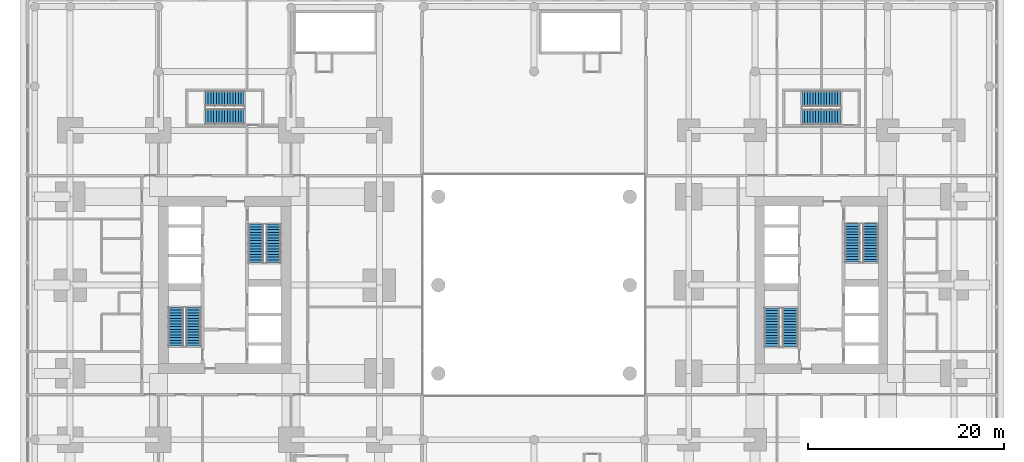
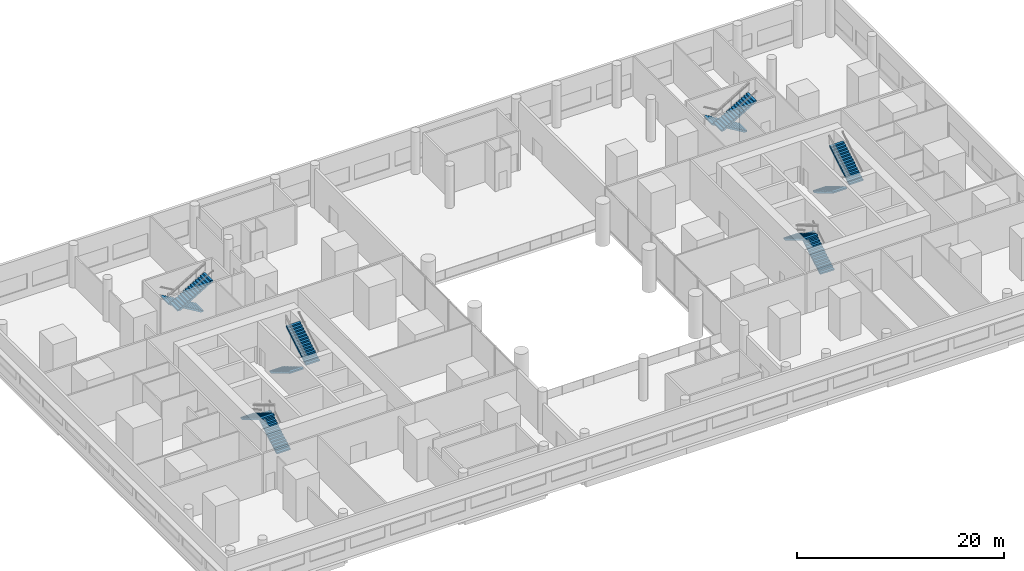
# One storey, part 17 of 20: 12 stair flights, 6 elements without a shape of their own.
"""IFC4 building model written with IfcOpenShell, lengths in metres."""

from ifc_helpers import new_model, si_unit, direction, frame, origin, place, context, subcontext, project, spatial, polyline, outline, extrude, material, type_object, element, aggregate, save


model = new_model("IFC4")

# Units and contexts
model_context = context("Model", 3, precision=1e-05, world=origin(), true_north=direction((0.0, 1.0)))
body_context = subcontext(model_context, "Body", "Model", "MODEL_VIEW")
ifc_project = project(units=[si_unit("LENGTHUNIT", "METRE"), si_unit("AREAUNIT", "SQUARE_METRE"), si_unit("VOLUMEUNIT", "CUBIC_METRE"), si_unit("PLANEANGLEUNIT", "RADIAN"), si_unit("MASSUNIT", "GRAM", prefix="KILO")], contexts=[model_context])

# Site, building, storey
site_placement = place(None, origin())
site = spatial("IfcSite", under=ifc_project, at=site_placement, CompositionType="ELEMENT")
building_placement = place(site_placement, origin())
building = spatial("IfcBuilding", under=site, at=building_placement, Name="Namib Vertical Campus", CompositionType="ELEMENT")
storey_placement = place(building_placement, frame((0.0, 0.0, 16.0)))
storey = spatial("IfcBuildingStorey", under=building, at=storey_placement, Name="L03", CompositionType="ELEMENT", Elevation=16.0)

# Stair, stair flights
ifc_material_1 = material(Name="Concrete C40/50 precast", Category="concrete")
stair_type_1 = type_object("IfcStairType", Name="Exit stair 5000 rise 30 risers 3350 wide", PredefinedType="HALF_TURN_STAIR", material=ifc_material_1)
stair_1_placement = place(storey_placement, origin())
stair_1 = element("IfcStair", 1, at=stair_1_placement, inside=storey, type_object=stair_type_1, Name="Exit stair A-S1 L03", PredefinedType="HALF_TURN_STAIR")
ifc_material_2 = material(Name="Concrete C40/50 precast", Category="concrete")
stair_flight_type_1 = type_object("IfcStairFlightType", Name="Stair flight 15 risers 167 1525 wide", PredefinedType="STRAIGHT", material=ifc_material_2)
stair_flight_1_placement = place(storey_placement, frame((17.08740234375, 14.050048828125, 0.0), z_axis=(0.0, 0.0, 1.0), x_axis=(0.0, 1.0, 0.0)))
stair_flight_1 = element("IfcStairFlight", 2, at=stair_flight_1_placement, type_object=stair_flight_type_1, Name="A-S1 flight 1", NumberOfRisers=15, NumberOfTreads=14, PredefinedType="STRAIGHT", RiserHeight=0.166666667, TreadLength=0.28, context=body_context, shape_type="SweptSolid", body=[
    extrude(outline(polyline([(0.0, 0.0), (0.0, 0.166748046875), (0.280029296875, 0.166748046875), (0.280029296875, 0.333251953125), (0.56005859375, 0.333251953125), (0.56005859375, 0.5), (0.840087890625, 0.5), (0.840087890625, 0.666748046875), (1.1201171875, 0.666748046875), (1.1201171875, 0.833251953125), (1.39990234375, 0.833251953125), (1.39990234375, 1.0), (1.679931640625, 1.0), (1.679931640625, 1.166748046875), (1.9599609375, 1.166748046875), (1.9599609375, 1.333251953125), (2.239990234375, 1.333251953125), (2.239990234375, 1.5), (2.52001953125, 1.5), (2.52001953125, 1.666748046875), (2.800048828125, 1.666748046875), (2.800048828125, 1.833251953125), (3.080078125, 1.833251953125), (3.080078125, 2.0), (3.360107421875, 2.0), (3.360107421875, 2.166748046875), (3.639892578125, 2.166748046875), (3.639892578125, 2.333251953125), (3.919921875, 2.333251953125), (3.919921875, 2.5), (3.919921875, 2.158935546875), (0.29296875, 0.0), (0.0, 0.0)])), frame((0.0, 0.762451171875, 0.0), z_axis=(0.0, -1.0, 0.0), x_axis=(1.0, 0.0, 0.0)), (0.0, 0.0, 1.0), 1.52490234375),
])
stair_flight_2_placement = place(storey_placement, frame((15.262451171875, 17.969970703125, 2.5), z_axis=(0.0, 0.0, 1.0), x_axis=(0.0, -1.0, 0.0)))
stair_flight_2 = element("IfcStairFlight", 3, at=stair_flight_2_placement, type_object=stair_flight_type_1, Name="A-S1 flight 2", NumberOfRisers=15, NumberOfTreads=14, PredefinedType="STRAIGHT", RiserHeight=0.166666667, TreadLength=0.28, context=body_context, shape_type="SweptSolid", body=[
    extrude(outline(polyline([(0.0, 0.0), (0.0, 0.166748046875), (0.280029296875, 0.166748046875), (0.280029296875, 0.333251953125), (0.56005859375, 0.333251953125), (0.56005859375, 0.5), (0.840087890625, 0.5), (0.840087890625, 0.666748046875), (1.1201171875, 0.666748046875), (1.1201171875, 0.833251953125), (1.39990234375, 0.833251953125), (1.39990234375, 1.0), (1.679931640625, 1.0), (1.679931640625, 1.166748046875), (1.9599609375, 1.166748046875), (1.9599609375, 1.333251953125), (2.239990234375, 1.333251953125), (2.239990234375, 1.5), (2.52001953125, 1.5), (2.52001953125, 1.666748046875), (2.800048828125, 1.666748046875), (2.800048828125, 1.833251953125), (3.080078125, 1.833251953125), (3.080078125, 2.0), (3.360107421875, 2.0), (3.360107421875, 2.166748046875), (3.639892578125, 2.166748046875), (3.639892578125, 2.333251953125), (3.919921875, 2.333251953125), (3.919921875, 2.5), (3.919921875, 2.158935546875), (0.29296875, 0.0), (0.0, 0.0)])), frame((0.0, 0.762451171875, 0.0), z_axis=(0.0, -1.0, 0.0), x_axis=(1.0, 0.0, 0.0)), (0.0, 0.0, 1.0), 1.52490234375),
])
aggregate(stair_1, [stair_flight_1, stair_flight_2])

stair_2_placement = place(storey_placement, origin())
stair_2 = element("IfcStair", 4, at=stair_2_placement, inside=storey, type_object=stair_type_1, Name="Exit stair A-S2 L03", PredefinedType="HALF_TURN_STAIR")
stair_flight_3_placement = place(storey_placement, frame((23.41259765625, 26.449951171875, 0.0), z_axis=(0.0, 0.0, 1.0), x_axis=(0.0, -1.0, 0.0)))
stair_flight_3 = element("IfcStairFlight", 5, at=stair_flight_3_placement, type_object=stair_flight_type_1, Name="A-S2 flight 1", NumberOfRisers=15, NumberOfTreads=14, PredefinedType="STRAIGHT", RiserHeight=0.166666667, TreadLength=0.28, context=body_context, shape_type="SweptSolid", body=[
    extrude(outline(polyline([(0.0, 0.0), (0.0, 0.166748046875), (0.280029296875, 0.166748046875), (0.280029296875, 0.333251953125), (0.56005859375, 0.333251953125), (0.56005859375, 0.5), (0.840087890625, 0.5), (0.840087890625, 0.666748046875), (1.1201171875, 0.666748046875), (1.1201171875, 0.833251953125), (1.39990234375, 0.833251953125), (1.39990234375, 1.0), (1.679931640625, 1.0), (1.679931640625, 1.166748046875), (1.9599609375, 1.166748046875), (1.9599609375, 1.333251953125), (2.239990234375, 1.333251953125), (2.239990234375, 1.5), (2.52001953125, 1.5), (2.52001953125, 1.666748046875), (2.800048828125, 1.666748046875), (2.800048828125, 1.833251953125), (3.080078125, 1.833251953125), (3.080078125, 2.0), (3.360107421875, 2.0), (3.360107421875, 2.166748046875), (3.639892578125, 2.166748046875), (3.639892578125, 2.333251953125), (3.919921875, 2.333251953125), (3.919921875, 2.5), (3.919921875, 2.158935546875), (0.29296875, 0.0), (0.0, 0.0)])), frame((0.0, 0.762451171875, 0.0), z_axis=(0.0, -1.0, 0.0), x_axis=(1.0, 0.0, 0.0)), (0.0, 0.0, 1.0), 1.52490234375),
])
stair_flight_4_placement = place(storey_placement, frame((25.237548828125, 22.530029296875, 2.5), z_axis=(0.0, 0.0, 1.0), x_axis=(0.0, 1.0, 0.0)))
stair_flight_4 = element("IfcStairFlight", 6, at=stair_flight_4_placement, type_object=stair_flight_type_1, Name="A-S2 flight 2", NumberOfRisers=15, NumberOfTreads=14, PredefinedType="STRAIGHT", RiserHeight=0.166666667, TreadLength=0.28, context=body_context, shape_type="SweptSolid", body=[
    extrude(outline(polyline([(0.0, 0.0), (0.0, 0.166748046875), (0.280029296875, 0.166748046875), (0.280029296875, 0.333251953125), (0.56005859375, 0.333251953125), (0.56005859375, 0.5), (0.840087890625, 0.5), (0.840087890625, 0.666748046875), (1.1201171875, 0.666748046875), (1.1201171875, 0.833251953125), (1.39990234375, 0.833251953125), (1.39990234375, 1.0), (1.679931640625, 1.0), (1.679931640625, 1.166748046875), (1.9599609375, 1.166748046875), (1.9599609375, 1.333251953125), (2.239990234375, 1.333251953125), (2.239990234375, 1.5), (2.52001953125, 1.5), (2.52001953125, 1.666748046875), (2.800048828125, 1.666748046875), (2.800048828125, 1.833251953125), (3.080078125, 1.833251953125), (3.080078125, 2.0), (3.360107421875, 2.0), (3.360107421875, 2.166748046875), (3.639892578125, 2.166748046875), (3.639892578125, 2.333251953125), (3.919921875, 2.333251953125), (3.919921875, 2.5), (3.919921875, 2.158935546875), (0.29296875, 0.0), (0.0, 0.0)])), frame((0.0, 0.762451171875, 0.0), z_axis=(0.0, -1.0, 0.0), x_axis=(1.0, 0.0, 0.0)), (0.0, 0.0, 1.0), 1.52490234375),
])
aggregate(stair_2, [stair_flight_3, stair_flight_4])

stair_3_placement = place(storey_placement, origin())
stair_3 = element("IfcStair", 7, at=stair_3_placement, inside=storey, type_object=stair_type_1, Name="Exit stair A-S3 L03", PredefinedType="HALF_TURN_STAIR")
stair_flight_5_placement = place(storey_placement, frame((22.199951171875, 39.237548828125, 0.0), z_axis=(0.0, 0.0, 1.0), x_axis=(-1.0, 0.0, 0.0)))
stair_flight_5 = element("IfcStairFlight", 8, at=stair_flight_5_placement, type_object=stair_flight_type_1, Name="A-S3 flight 1", NumberOfRisers=15, NumberOfTreads=14, PredefinedType="STRAIGHT", RiserHeight=0.166666667, TreadLength=0.28, context=body_context, shape_type="SweptSolid", body=[
    extrude(outline(polyline([(0.0, 0.0), (0.0, 0.166748046875), (0.280029296875, 0.166748046875), (0.280029296875, 0.333251953125), (0.56005859375, 0.333251953125), (0.56005859375, 0.5), (0.840087890625, 0.5), (0.840087890625, 0.666748046875), (1.1201171875, 0.666748046875), (1.1201171875, 0.833251953125), (1.39990234375, 0.833251953125), (1.39990234375, 1.0), (1.679931640625, 1.0), (1.679931640625, 1.166748046875), (1.9599609375, 1.166748046875), (1.9599609375, 1.333251953125), (2.239990234375, 1.333251953125), (2.239990234375, 1.5), (2.52001953125, 1.5), (2.52001953125, 1.666748046875), (2.800048828125, 1.666748046875), (2.800048828125, 1.833251953125), (3.080078125, 1.833251953125), (3.080078125, 2.0), (3.360107421875, 2.0), (3.360107421875, 2.166748046875), (3.639892578125, 2.166748046875), (3.639892578125, 2.333251953125), (3.919921875, 2.333251953125), (3.919921875, 2.5), (3.919921875, 2.158935546875), (0.29296875, 0.0), (0.0, 0.0)])), frame((0.0, 0.762451171875, 0.0), z_axis=(0.0, -1.0, 0.0), x_axis=(1.0, 0.0, 0.0)), (0.0, 0.0, 1.0), 1.52490234375),
])
stair_flight_6_placement = place(storey_placement, frame((18.280029296875, 37.41259765625, 2.5), z_axis=(0.0, 0.0, 1.0), x_axis=(1.0, 0.0, 0.0)))
stair_flight_6 = element("IfcStairFlight", 9, at=stair_flight_6_placement, type_object=stair_flight_type_1, Name="A-S3 flight 2", NumberOfRisers=15, NumberOfTreads=14, PredefinedType="STRAIGHT", RiserHeight=0.166666667, TreadLength=0.28, context=body_context, shape_type="SweptSolid", body=[
    extrude(outline(polyline([(0.0, 0.0), (0.0, 0.166748046875), (0.280029296875, 0.166748046875), (0.280029296875, 0.333251953125), (0.56005859375, 0.333251953125), (0.56005859375, 0.5), (0.840087890625, 0.5), (0.840087890625, 0.666748046875), (1.1201171875, 0.666748046875), (1.1201171875, 0.833251953125), (1.39990234375, 0.833251953125), (1.39990234375, 1.0), (1.679931640625, 1.0), (1.679931640625, 1.166748046875), (1.9599609375, 1.166748046875), (1.9599609375, 1.333251953125), (2.239990234375, 1.333251953125), (2.239990234375, 1.5), (2.52001953125, 1.5), (2.52001953125, 1.666748046875), (2.800048828125, 1.666748046875), (2.800048828125, 1.833251953125), (3.080078125, 1.833251953125), (3.080078125, 2.0), (3.360107421875, 2.0), (3.360107421875, 2.166748046875), (3.639892578125, 2.166748046875), (3.639892578125, 2.333251953125), (3.919921875, 2.333251953125), (3.919921875, 2.5), (3.919921875, 2.158935546875), (0.29296875, 0.0), (0.0, 0.0)])), frame((0.0, 0.762451171875, 0.0), z_axis=(0.0, -1.0, 0.0), x_axis=(1.0, 0.0, 0.0)), (0.0, 0.0, 1.0), 1.52490234375),
])
aggregate(stair_3, [stair_flight_5, stair_flight_6])

ifc_material_3 = material(Name="Concrete C40/50 precast", Category="concrete")
stair_type_2 = type_object("IfcStairType", Name="Exit stair 5000 rise 30 risers 3400 wide", PredefinedType="HALF_TURN_STAIR", material=ifc_material_3)
stair_4_placement = place(storey_placement, origin())
stair_4 = element("IfcStair", 10, at=stair_4_placement, inside=storey, type_object=stair_type_2, Name="Exit stair B-S1 L03", PredefinedType="HALF_TURN_STAIR")
ifc_material_4 = material(Name="Concrete C40/50 precast", Category="concrete")
stair_flight_type_2 = type_object("IfcStairFlightType", Name="Stair flight 15 risers 167 1550 wide", PredefinedType="STRAIGHT", material=ifc_material_4)
stair_flight_7_placement = place(storey_placement, frame((77.824951171875, 14.0, 0.0), z_axis=(0.0, 0.0, 1.0), x_axis=(0.0, 1.0, 0.0)))
stair_flight_7 = element("IfcStairFlight", 11, at=stair_flight_7_placement, type_object=stair_flight_type_2, Name="B-S1 flight 1", NumberOfRisers=15, NumberOfTreads=14, PredefinedType="STRAIGHT", RiserHeight=0.166666667, TreadLength=0.28, context=body_context, shape_type="SweptSolid", body=[
    extrude(outline(polyline([(0.0, 0.0), (0.0, 0.166748046875), (0.280029296875, 0.166748046875), (0.280029296875, 0.333251953125), (0.56005859375, 0.333251953125), (0.56005859375, 0.5), (0.840087890625, 0.5), (0.840087890625, 0.666748046875), (1.1201171875, 0.666748046875), (1.1201171875, 0.833251953125), (1.39990234375, 0.833251953125), (1.39990234375, 1.0), (1.679931640625, 1.0), (1.679931640625, 1.166748046875), (1.9599609375, 1.166748046875), (1.9599609375, 1.333251953125), (2.239990234375, 1.333251953125), (2.239990234375, 1.5), (2.52001953125, 1.5), (2.52001953125, 1.666748046875), (2.800048828125, 1.666748046875), (2.800048828125, 1.833251953125), (3.080078125, 1.833251953125), (3.080078125, 2.0), (3.360107421875, 2.0), (3.360107421875, 2.166748046875), (3.639892578125, 2.166748046875), (3.639892578125, 2.333251953125), (3.919921875, 2.333251953125), (3.919921875, 2.5), (3.919921875, 2.158935546875), (0.29296875, 0.0), (0.0, 0.0)])), frame((0.0, 0.77490234375, 0.0), z_axis=(0.0, -1.0, 0.0), x_axis=(1.0, 0.0, 0.0)), (0.0, 0.0, 1.0), 1.550048828125),
])
stair_flight_8_placement = place(storey_placement, frame((75.97509765625, 17.919921875, 2.5), z_axis=(0.0, 0.0, 1.0), x_axis=(0.0, -1.0, 0.0)))
stair_flight_8 = element("IfcStairFlight", 12, at=stair_flight_8_placement, type_object=stair_flight_type_2, Name="B-S1 flight 2", NumberOfRisers=15, NumberOfTreads=14, PredefinedType="STRAIGHT", RiserHeight=0.166666667, TreadLength=0.28, context=body_context, shape_type="SweptSolid", body=[
    extrude(outline(polyline([(0.0, 0.0), (0.0, 0.166748046875), (0.280029296875, 0.166748046875), (0.280029296875, 0.333251953125), (0.56005859375, 0.333251953125), (0.56005859375, 0.5), (0.840087890625, 0.5), (0.840087890625, 0.666748046875), (1.1201171875, 0.666748046875), (1.1201171875, 0.833251953125), (1.39990234375, 0.833251953125), (1.39990234375, 1.0), (1.679931640625, 1.0), (1.679931640625, 1.166748046875), (1.9599609375, 1.166748046875), (1.9599609375, 1.333251953125), (2.239990234375, 1.333251953125), (2.239990234375, 1.5), (2.52001953125, 1.5), (2.52001953125, 1.666748046875), (2.800048828125, 1.666748046875), (2.800048828125, 1.833251953125), (3.080078125, 1.833251953125), (3.080078125, 2.0), (3.360107421875, 2.0), (3.360107421875, 2.166748046875), (3.639892578125, 2.166748046875), (3.639892578125, 2.333251953125), (3.919921875, 2.333251953125), (3.919921875, 2.5), (3.919921875, 2.158935546875), (0.29296875, 0.0), (0.0, 0.0)])), frame((0.0, 0.77490234375, 0.0), z_axis=(0.0, -1.0, 0.0), x_axis=(1.0, 0.0, 0.0)), (0.0, 0.0, 1.0), 1.550048828125),
])
aggregate(stair_4, [stair_flight_7, stair_flight_8])

stair_5_placement = place(storey_placement, origin())
stair_5 = element("IfcStair", 13, at=stair_5_placement, inside=storey, type_object=stair_type_2, Name="Exit stair B-S2 L03", PredefinedType="HALF_TURN_STAIR")
stair_flight_9_placement = place(storey_placement, frame((84.175048828125, 26.5, 0.0), z_axis=(0.0, 0.0, 1.0), x_axis=(0.0, -1.0, 0.0)))
stair_flight_9 = element("IfcStairFlight", 14, at=stair_flight_9_placement, type_object=stair_flight_type_2, Name="B-S2 flight 1", NumberOfRisers=15, NumberOfTreads=14, PredefinedType="STRAIGHT", RiserHeight=0.166666667, TreadLength=0.28, context=body_context, shape_type="SweptSolid", body=[
    extrude(outline(polyline([(0.0, 0.0), (0.0, 0.166748046875), (0.280029296875, 0.166748046875), (0.280029296875, 0.333251953125), (0.56005859375, 0.333251953125), (0.56005859375, 0.5), (0.840087890625, 0.5), (0.840087890625, 0.666748046875), (1.1201171875, 0.666748046875), (1.1201171875, 0.833251953125), (1.39990234375, 0.833251953125), (1.39990234375, 1.0), (1.679931640625, 1.0), (1.679931640625, 1.166748046875), (1.9599609375, 1.166748046875), (1.9599609375, 1.333251953125), (2.239990234375, 1.333251953125), (2.239990234375, 1.5), (2.52001953125, 1.5), (2.52001953125, 1.666748046875), (2.800048828125, 1.666748046875), (2.800048828125, 1.833251953125), (3.080078125, 1.833251953125), (3.080078125, 2.0), (3.360107421875, 2.0), (3.360107421875, 2.166748046875), (3.639892578125, 2.166748046875), (3.639892578125, 2.333251953125), (3.919921875, 2.333251953125), (3.919921875, 2.5), (3.919921875, 2.158935546875), (0.29296875, 0.0), (0.0, 0.0)])), frame((0.0, 0.77490234375, 0.0), z_axis=(0.0, -1.0, 0.0), x_axis=(1.0, 0.0, 0.0)), (0.0, 0.0, 1.0), 1.550048828125),
])
stair_flight_10_placement = place(storey_placement, frame((86.02490234375, 22.580078125, 2.5), z_axis=(0.0, 0.0, 1.0), x_axis=(0.0, 1.0, 0.0)))
stair_flight_10 = element("IfcStairFlight", 15, at=stair_flight_10_placement, type_object=stair_flight_type_2, Name="B-S2 flight 2", NumberOfRisers=15, NumberOfTreads=14, PredefinedType="STRAIGHT", RiserHeight=0.166666667, TreadLength=0.28, context=body_context, shape_type="SweptSolid", body=[
    extrude(outline(polyline([(0.0, 0.0), (0.0, 0.166748046875), (0.280029296875, 0.166748046875), (0.280029296875, 0.333251953125), (0.56005859375, 0.333251953125), (0.56005859375, 0.5), (0.840087890625, 0.5), (0.840087890625, 0.666748046875), (1.1201171875, 0.666748046875), (1.1201171875, 0.833251953125), (1.39990234375, 0.833251953125), (1.39990234375, 1.0), (1.679931640625, 1.0), (1.679931640625, 1.166748046875), (1.9599609375, 1.166748046875), (1.9599609375, 1.333251953125), (2.239990234375, 1.333251953125), (2.239990234375, 1.5), (2.52001953125, 1.5), (2.52001953125, 1.666748046875), (2.800048828125, 1.666748046875), (2.800048828125, 1.833251953125), (3.080078125, 1.833251953125), (3.080078125, 2.0), (3.360107421875, 2.0), (3.360107421875, 2.166748046875), (3.639892578125, 2.166748046875), (3.639892578125, 2.333251953125), (3.919921875, 2.333251953125), (3.919921875, 2.5), (3.919921875, 2.158935546875), (0.29296875, 0.0), (0.0, 0.0)])), frame((0.0, 0.77490234375, 0.0), z_axis=(0.0, -1.0, 0.0), x_axis=(1.0, 0.0, 0.0)), (0.0, 0.0, 1.0), 1.550048828125),
])
aggregate(stair_5, [stair_flight_9, stair_flight_10])

stair_6_placement = place(storey_placement, origin())
stair_6 = element("IfcStair", 16, at=stair_6_placement, inside=storey, type_object=stair_type_2, Name="Exit stair B-S3 L03", PredefinedType="HALF_TURN_STAIR")
stair_flight_11_placement = place(storey_placement, frame((82.949951171875, 39.22509765625, 0.0), z_axis=(0.0, 0.0, 1.0), x_axis=(-1.0, 0.0, 0.0)))
stair_flight_11 = element("IfcStairFlight", 17, at=stair_flight_11_placement, type_object=stair_flight_type_2, Name="B-S3 flight 1", NumberOfRisers=15, NumberOfTreads=14, PredefinedType="STRAIGHT", RiserHeight=0.166666667, TreadLength=0.28, context=body_context, shape_type="SweptSolid", body=[
    extrude(outline(polyline([(0.0, 0.0), (0.0, 0.166748046875), (0.280029296875, 0.166748046875), (0.280029296875, 0.333251953125), (0.56005859375, 0.333251953125), (0.56005859375, 0.5), (0.840087890625, 0.5), (0.840087890625, 0.666748046875), (1.1201171875, 0.666748046875), (1.1201171875, 0.833251953125), (1.39990234375, 0.833251953125), (1.39990234375, 1.0), (1.679931640625, 1.0), (1.679931640625, 1.166748046875), (1.9599609375, 1.166748046875), (1.9599609375, 1.333251953125), (2.239990234375, 1.333251953125), (2.239990234375, 1.5), (2.52001953125, 1.5), (2.52001953125, 1.666748046875), (2.800048828125, 1.666748046875), (2.800048828125, 1.833251953125), (3.080078125, 1.833251953125), (3.080078125, 2.0), (3.360107421875, 2.0), (3.360107421875, 2.166748046875), (3.639892578125, 2.166748046875), (3.639892578125, 2.333251953125), (3.919921875, 2.333251953125), (3.919921875, 2.5), (3.919921875, 2.158935546875), (0.29296875, 0.0), (0.0, 0.0)])), frame((0.0, 0.77490234375, 0.0), z_axis=(0.0, -1.0, 0.0), x_axis=(1.0, 0.0, 0.0)), (0.0, 0.0, 1.0), 1.550048828125),
])
stair_flight_12_placement = place(storey_placement, frame((79.030029296875, 37.375, 2.5), z_axis=(0.0, 0.0, 1.0), x_axis=(1.0, 0.0, 0.0)))
stair_flight_12 = element("IfcStairFlight", 18, at=stair_flight_12_placement, type_object=stair_flight_type_2, Name="B-S3 flight 2", NumberOfRisers=15, NumberOfTreads=14, PredefinedType="STRAIGHT", RiserHeight=0.166666667, TreadLength=0.28, context=body_context, shape_type="SweptSolid", body=[
    extrude(outline(polyline([(0.0, 0.0), (0.0, 0.166748046875), (0.280029296875, 0.166748046875), (0.280029296875, 0.333251953125), (0.56005859375, 0.333251953125), (0.56005859375, 0.5), (0.840087890625, 0.5), (0.840087890625, 0.666748046875), (1.1201171875, 0.666748046875), (1.1201171875, 0.833251953125), (1.39990234375, 0.833251953125), (1.39990234375, 1.0), (1.679931640625, 1.0), (1.679931640625, 1.166748046875), (1.9599609375, 1.166748046875), (1.9599609375, 1.333251953125), (2.239990234375, 1.333251953125), (2.239990234375, 1.5), (2.52001953125, 1.5), (2.52001953125, 1.666748046875), (2.800048828125, 1.666748046875), (2.800048828125, 1.833251953125), (3.080078125, 1.833251953125), (3.080078125, 2.0), (3.360107421875, 2.0), (3.360107421875, 2.166748046875), (3.639892578125, 2.166748046875), (3.639892578125, 2.333251953125), (3.919921875, 2.333251953125), (3.919921875, 2.5), (3.919921875, 2.158935546875), (0.29296875, 0.0), (0.0, 0.0)])), frame((0.0, 0.77490234375, 0.0), z_axis=(0.0, -1.0, 0.0), x_axis=(1.0, 0.0, 0.0)), (0.0, 0.0, 1.0), 1.550048828125),
])
aggregate(stair_6, [stair_flight_11, stair_flight_12])

save(model, "model.ifc")
